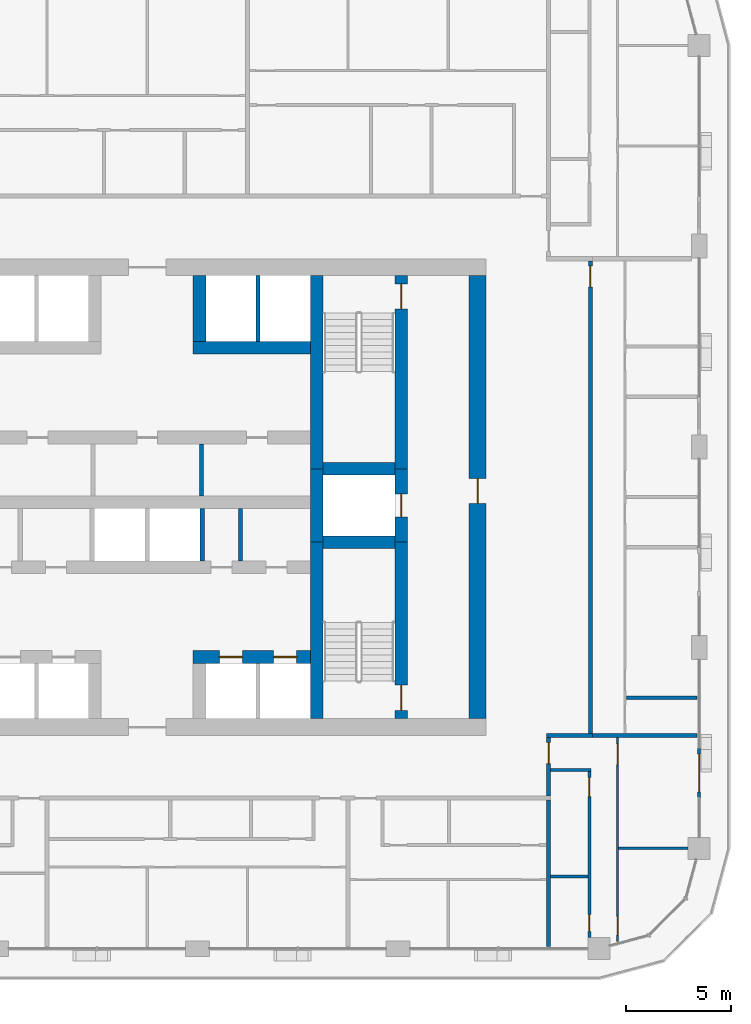
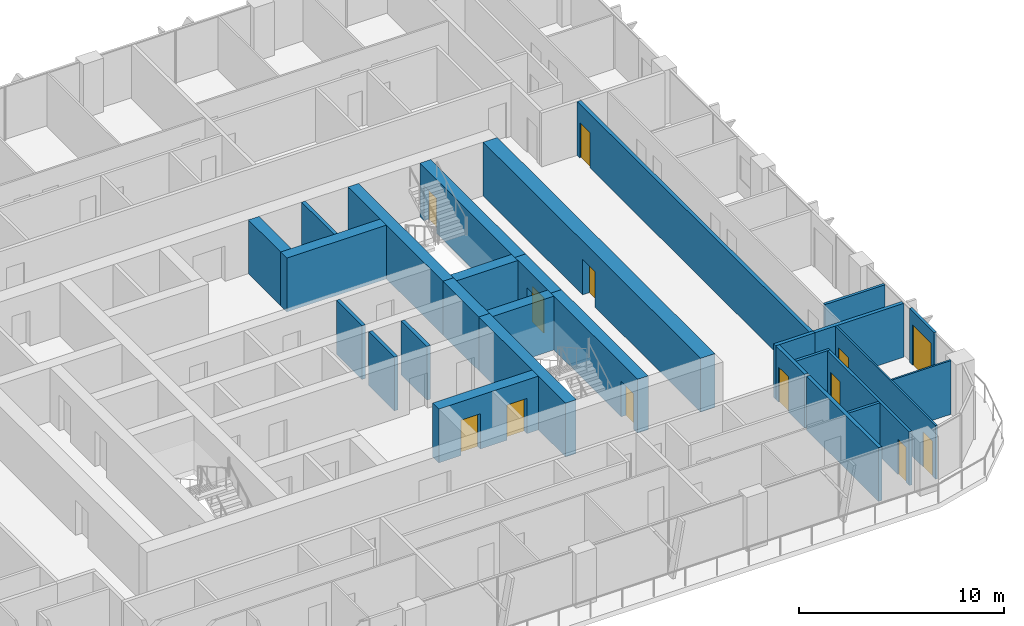
# One storey, part 12 of 23: 28 walls, 13 doors, 13 openings.
"""IFC4 building model written with IfcOpenShell, lengths in metres."""

from ifc_helpers import new_model, si_unit, direction, frame, frame_2d, origin, place, context, subcontext, project, spatial, rectangle, extrude, material, layer, layer_set, type_object, element, fill, save


model = new_model("IFC4")

# Units and contexts
model_context = context("Model", 3, precision=1e-05, world=origin(), true_north=direction((0.0, 1.0)))
body_context = subcontext(model_context, "Body", "Model", "MODEL_VIEW")
ifc_project = project(units=[si_unit("LENGTHUNIT", "METRE"), si_unit("AREAUNIT", "SQUARE_METRE"), si_unit("VOLUMEUNIT", "CUBIC_METRE"), si_unit("PLANEANGLEUNIT", "RADIAN"), si_unit("MASSUNIT", "GRAM", prefix="KILO")], contexts=[model_context])

# Site, building, storey
site_placement = place(None, origin())
site = spatial("IfcSite", under=ifc_project, at=site_placement, CompositionType="ELEMENT")
building_placement = place(site_placement, origin())
building = spatial("IfcBuilding", under=site, at=building_placement, Name="Madar Terraces", CompositionType="ELEMENT")
storey_placement = place(building_placement, frame((0.0, 0.0, 133.10009765625)))
storey = spatial("IfcBuildingStorey", under=building, at=storey_placement, Name="L34", CompositionType="ELEMENT", Elevation=133.10009765625)

# Walls
ifc_material_1 = material(Name="Concrete C70/85", Category="concrete")
ifc_layer_1 = layer(ifc_material_1, 0.60009765625)
ifc_layer_set_1 = layer_set([ifc_layer_1], Name="Concrete C70/85 (CIW3 RC wall 600)")
wall_type_1 = type_object("IfcWallType", Name="CIW3 RC wall 600", PredefinedType="SHEAR", material=ifc_layer_set_1)
wall_1_placement = place(storey_placement, frame((39.300048828125, 15.800048828125, 0.0), z_axis=(0.0, 0.0, 1.0), x_axis=(0.0, 1.0, 0.0)))
element("IfcWall", 1, at=wall_1_placement, inside=storey, type_object=wall_type_1, Name="CORE SHAFT WALL", PredefinedType="SHEAR", context=body_context, shape_type="SweptSolid", body=[
    extrude(rectangle(XDim=8.449951171875, YDim=0.60009765625, at=frame_2d((4.22509765625, 0.0))), origin(), (0.0, 0.0, 1.0), 3.199951171875),
])
wall_2_placement = place(storey_placement, frame((39.300048828125, 24.25, 0.0), z_axis=(0.0, 0.0, 1.0), x_axis=(0.0, 1.0, 0.0)))
element("IfcWall", 2, at=wall_2_placement, inside=storey, type_object=wall_type_1, Name="CORE SHAFT WALL", PredefinedType="SHEAR", context=body_context, shape_type="SweptSolid", body=[
    extrude(rectangle(XDim=3.5, YDim=0.60009765625, at=frame_2d((1.75, 0.0))), origin(), (0.0, 0.0, 1.0), 3.199951171875),
])
wall_3_placement = place(storey_placement, frame((39.300048828125, 27.75, 0.0), z_axis=(0.0, 0.0, 1.0), x_axis=(0.0, 1.0, 0.0)))
element("IfcWall", 3, at=wall_3_placement, inside=storey, type_object=wall_type_1, Name="CORE SHAFT WALL", PredefinedType="SHEAR", context=body_context, shape_type="SweptSolid", body=[
    extrude(rectangle(XDim=9.25, YDim=0.60009765625, at=frame_2d((4.625, 0.0))), origin(), (0.0, 0.0, 1.0), 3.199951171875),
])

# Wall, opening, door
wall_4_placement = place(storey_placement, frame((43.35009765625, 15.800048828125, 0.0), z_axis=(0.0, 0.0, 1.0), x_axis=(0.0, 1.0, 0.0)))
wall_4 = element("IfcWall", 4, at=wall_4_placement, inside=storey, type_object=wall_type_1, Name="CORE SHAFT WALL", PredefinedType="SHEAR", context=body_context, shape_type="SweptSolid", body=[
    extrude(rectangle(XDim=8.449951171875, YDim=0.60009765625, at=frame_2d((4.22509765625, 0.0))), origin(), (0.0, 0.0, 1.0), 3.199951171875),
])
opening_1_placement = place(wall_4_placement, frame((0.39990234375, 0.0, 0.0)))
opening_1 = element("IfcOpeningElement", 5, at=opening_1_placement, cuts=wall_4, Name="Opening SD1", PredefinedType="OPENING", context=body_context, shape_type="SweptSolid", body=[
    extrude(rectangle(XDim=1.199951171875, YDim=2.10009765625, at=frame_2d((0.60009765625, 1.050048828125))), frame((0.0, 0.31005859375, 0.0), z_axis=(0.0, -1.0, 0.0), x_axis=(1.0, 0.0, 0.0)), (0.0, 0.0, 1.0), 0.6201171875),
])
ifc_material_2 = material(Name="Steel door leaf", Category="steel")
door_type_1 = type_object("IfcDoorType", Name="Stair door 1200 x 2100", OperationType="NOTDEFINED", PredefinedType="DOOR", material=ifc_material_2)
door_1_placement = place(opening_1_placement, origin())
door_1 = element("IfcDoor", 6, at=door_1_placement, inside=storey, type_object=door_type_1, Name="STAIR DOOR", OperationType="SINGLE_SWING_LEFT", OverallHeight=2.10009765625, OverallWidth=1.199951171875, PredefinedType="DOOR", context=body_context, shape_type="SweptSolid", body=[
    extrude(rectangle(XDim=1.199951171875, YDim=2.10009765625, at=frame_2d((0.60009765625, 1.050048828125))), frame((0.0, 0.02490234375, 0.0), z_axis=(0.0, -1.0, 0.0), x_axis=(1.0, 0.0, 0.0)), (0.0, 0.0, 1.0), 0.050048828125),
])
fill(opening_1, door_1)

wall_5_placement = place(storey_placement, frame((43.35009765625, 24.25, 0.0), z_axis=(0.0, 0.0, 1.0), x_axis=(0.0, 1.0, 0.0)))
wall_5 = element("IfcWall", 7, at=wall_5_placement, inside=storey, type_object=wall_type_1, Name="CORE SHAFT WALL", PredefinedType="SHEAR", context=body_context, shape_type="SweptSolid", body=[
    extrude(rectangle(XDim=3.5, YDim=0.60009765625, at=frame_2d((1.75, 0.0))), origin(), (0.0, 0.0, 1.0), 3.199951171875),
])
opening_2_placement = place(wall_5_placement, frame((1.199951171875, 0.0, 0.0)))
opening_2 = element("IfcOpeningElement", 8, at=opening_2_placement, cuts=wall_5, Name="Opening LD", PredefinedType="OPENING", context=body_context, shape_type="SweptSolid", body=[
    extrude(rectangle(XDim=1.10009765625, YDim=2.10009765625, at=frame_2d((0.550048828125, 1.050048828125))), frame((0.0, 0.31005859375, 0.0), z_axis=(0.0, -1.0, 0.0), x_axis=(1.0, 0.0, 0.0)), (0.0, 0.0, 1.0), 0.6201171875),
])
ifc_material_3 = material(Name="Stainless steel panel", Category="steel")
door_type_2 = type_object("IfcDoorType", Name="Lift landing door 1100 x 2100", OperationType="DOUBLE_DOOR_SLIDING", PredefinedType="DOOR", material=ifc_material_3)
door_2_placement = place(opening_2_placement, origin())
door_2 = element("IfcDoor", 9, at=door_2_placement, inside=storey, type_object=door_type_2, Name="LIFT LANDING DOOR", OperationType="DOUBLE_DOOR_SLIDING", OverallHeight=2.10009765625, OverallWidth=1.10009765625, PredefinedType="DOOR", context=body_context, shape_type="SweptSolid", body=[
    extrude(rectangle(XDim=1.10009765625, YDim=2.10009765625, at=frame_2d((0.550048828125, 1.050048828125))), frame((0.0, 0.02490234375, 0.0), z_axis=(0.0, -1.0, 0.0), x_axis=(1.0, 0.0, 0.0)), (0.0, 0.0, 1.0), 0.050048828125),
])
fill(opening_2, door_2)

wall_6_placement = place(storey_placement, frame((43.35009765625, 27.75, 0.0), z_axis=(0.0, 0.0, 1.0), x_axis=(0.0, 1.0, 0.0)))
wall_6 = element("IfcWall", 10, at=wall_6_placement, inside=storey, type_object=wall_type_1, Name="CORE SHAFT WALL", PredefinedType="SHEAR", context=body_context, shape_type="SweptSolid", body=[
    extrude(rectangle(XDim=9.25, YDim=0.60009765625, at=frame_2d((4.625, 0.0))), origin(), (0.0, 0.0, 1.0), 3.199951171875),
])
opening_3_placement = place(wall_6_placement, frame((7.64990234375, 0.0, 0.0)))
opening_3 = element("IfcOpeningElement", 11, at=opening_3_placement, cuts=wall_6, Name="Opening SD1", PredefinedType="OPENING", context=body_context, shape_type="SweptSolid", body=[
    extrude(rectangle(XDim=1.199951171875, YDim=2.10009765625, at=frame_2d((0.60009765625, 1.050048828125))), frame((0.0, 0.31005859375, 0.0), z_axis=(0.0, -1.0, 0.0), x_axis=(1.0, 0.0, 0.0)), (0.0, 0.0, 1.0), 0.6201171875),
])
door_3_placement = place(opening_3_placement, origin())
door_3 = element("IfcDoor", 12, at=door_3_placement, inside=storey, type_object=door_type_1, Name="STAIR DOOR", OperationType="SINGLE_SWING_RIGHT", OverallHeight=2.10009765625, OverallWidth=1.199951171875, PredefinedType="DOOR", context=body_context, shape_type="SweptSolid", body=[
    extrude(rectangle(XDim=1.199951171875, YDim=2.10009765625, at=frame_2d((0.60009765625, 1.050048828125))), frame((0.0, 0.02490234375, 0.0), z_axis=(0.0, -1.0, 0.0), x_axis=(1.0, 0.0, 0.0)), (0.0, 0.0, 1.0), 0.050048828125),
])
fill(opening_3, door_3)

# Walls
for number, where, z_axis, x_axis, name in (
    (13, (39.60009765625, 24.25, 0.0), (0.0, 0.0, 1.0), (1.0, 0.0, 0.0), "CORE SHAFT WALL"),
    (14, (39.60009765625, 27.75, 0.0), (0.0, 0.0, 1.0), (1.0, 0.0, 0.0), "CORE SHAFT WALL"),
):
    element("IfcWall", number, at=place(storey_placement, frame(where, z_axis=z_axis, x_axis=x_axis)), inside=storey, type_object=wall_type_1, Name=name, PredefinedType="SHEAR", context=body_context, shape_type="SweptSolid", body=[
        extrude(rectangle(XDim=3.449951171875, YDim=0.60009765625, at=frame_2d((1.72509765625, 0.0))), origin(), (0.0, 0.0, 1.0), 3.199951171875),
    ])

# Wall, openings, doors
wall_7_placement = place(storey_placement, frame((33.39990234375, 18.75, 0.0), z_axis=(0.0, 0.0, 1.0), x_axis=(1.0, 0.0, 0.0)))
wall_7 = element("IfcWall", 15, at=wall_7_placement, inside=storey, type_object=wall_type_1, Name="CORE SHAFT WALL", PredefinedType="SHEAR", context=body_context, shape_type="SweptSolid", body=[
    extrude(rectangle(XDim=5.60009765625, YDim=0.60009765625, at=frame_2d((2.800048828125, 0.0))), origin(), (0.0, 0.0, 1.0), 3.199951171875),
])
opening_4_placement = place(wall_7_placement, frame((1.25, 0.0, 0.0)))
opening_4 = element("IfcOpeningElement", 16, at=opening_4_placement, cuts=wall_7, Name="Opening LD", PredefinedType="OPENING", context=body_context, shape_type="SweptSolid", body=[
    extrude(rectangle(XDim=1.10009765625, YDim=2.10009765625, at=frame_2d((0.550048828125, 1.050048828125))), frame((0.0, 0.31005859375, 0.0), z_axis=(0.0, -1.0, 0.0), x_axis=(1.0, 0.0, 0.0)), (0.0, 0.0, 1.0), 0.6201171875),
])
opening_5_placement = place(wall_7_placement, frame((3.85009765625, 0.0, 0.0)))
opening_5 = element("IfcOpeningElement", 17, at=opening_5_placement, cuts=wall_7, Name="Opening LD", PredefinedType="OPENING", context=body_context, shape_type="SweptSolid", body=[
    extrude(rectangle(XDim=1.10009765625, YDim=2.10009765625, at=frame_2d((0.550048828125, 1.050048828125))), frame((0.0, 0.31005859375, 0.0), z_axis=(0.0, -1.0, 0.0), x_axis=(1.0, 0.0, 0.0)), (0.0, 0.0, 1.0), 0.6201171875),
])
door_4_placement = place(opening_4_placement, origin())
door_4 = element("IfcDoor", 18, at=door_4_placement, inside=storey, type_object=door_type_2, Name="LIFT LANDING DOOR", OperationType="DOUBLE_DOOR_SLIDING", OverallHeight=2.10009765625, OverallWidth=1.10009765625, PredefinedType="DOOR", context=body_context, shape_type="SweptSolid", body=[
    extrude(rectangle(XDim=1.10009765625, YDim=2.10009765625, at=frame_2d((0.550048828125, 1.050048828125))), frame((0.0, 0.02490234375, 0.0), z_axis=(0.0, -1.0, 0.0), x_axis=(1.0, 0.0, 0.0)), (0.0, 0.0, 1.0), 0.050048828125),
])
fill(opening_4, door_4)
door_5_placement = place(opening_5_placement, origin())
door_5 = element("IfcDoor", 19, at=door_5_placement, inside=storey, type_object=door_type_2, Name="LIFT LANDING DOOR", OperationType="DOUBLE_DOOR_SLIDING", OverallHeight=2.10009765625, OverallWidth=1.10009765625, PredefinedType="DOOR", context=body_context, shape_type="SweptSolid", body=[
    extrude(rectangle(XDim=1.10009765625, YDim=2.10009765625, at=frame_2d((0.550048828125, 1.050048828125))), frame((0.0, 0.02490234375, 0.0), z_axis=(0.0, -1.0, 0.0), x_axis=(1.0, 0.0, 0.0)), (0.0, 0.0, 1.0), 0.050048828125),
])
fill(opening_5, door_5)

# Walls
wall_8_placement = place(storey_placement, frame((33.39990234375, 33.550048828125, 0.0), z_axis=(0.0, 0.0, 1.0), x_axis=(1.0, 0.0, 0.0)))
element("IfcWall", 20, at=wall_8_placement, inside=storey, type_object=wall_type_1, Name="CORE SHAFT WALL", PredefinedType="SHEAR", context=body_context, shape_type="SweptSolid", body=[
    extrude(rectangle(XDim=5.60009765625, YDim=0.60009765625, at=frame_2d((2.800048828125, 0.0))), origin(), (0.0, 0.0, 1.0), 3.199951171875),
])
wall_9_placement = place(storey_placement, frame((33.699951171875, 33.85009765625, 0.0), z_axis=(0.0, 0.0, 1.0), x_axis=(0.0, 1.0, 0.0)))
element("IfcWall", 21, at=wall_9_placement, inside=storey, type_object=wall_type_1, Name="CORE SHAFT WALL", PredefinedType="SHEAR", context=body_context, shape_type="SweptSolid", body=[
    extrude(rectangle(XDim=3.14990234375, YDim=0.60009765625, at=frame_2d((1.574951171875, 0.0))), origin(), (0.0, 0.0, 1.0), 3.199951171875),
])

# Wall, opening, door
ifc_material_4 = material(Name="Concrete C70/85", Category="concrete")
ifc_layer_2 = layer(ifc_material_4, 0.800048828125)
ifc_layer_set_2 = layer_set([ifc_layer_2], Name="Concrete C70/85 (CRW3 RC wall 800)")
wall_type_2 = type_object("IfcWallType", Name="CRW3 RC wall 800", PredefinedType="SHEAR", material=ifc_layer_set_2)
wall_10_placement = place(storey_placement, frame((47.0, 15.800048828125, 0.0), z_axis=(0.0, 0.0, 1.0), x_axis=(0.0, 1.0, 0.0)))
wall_10 = element("IfcWall", 22, at=wall_10_placement, inside=storey, type_object=wall_type_2, Name="CORE OUTER WALL", PredefinedType="SHEAR", context=body_context, shape_type="SweptSolid", body=[
    extrude(rectangle(XDim=21.199951171875, YDim=0.800048828125, at=frame_2d((10.60009765625, 0.0))), origin(), (0.0, 0.0, 1.0), 3.199951171875),
])
opening_6_placement = place(wall_10_placement, frame((10.300048828125, 0.0, 0.0)))
opening_6 = element("IfcOpeningElement", 23, at=opening_6_placement, cuts=wall_10, Name="Opening SD1", PredefinedType="OPENING", context=body_context, shape_type="SweptSolid", body=[
    extrude(rectangle(XDim=1.199951171875, YDim=2.10009765625, at=frame_2d((0.60009765625, 1.050048828125))), frame((0.0, 0.409912109375, 0.0), z_axis=(0.0, -1.0, 0.0), x_axis=(1.0, 0.0, 0.0)), (0.0, 0.0, 1.0), 0.820068359375),
])
door_6_placement = place(opening_6_placement, origin())
door_6 = element("IfcDoor", 24, at=door_6_placement, inside=storey, type_object=door_type_1, Name="STAIR DOOR", OperationType="SINGLE_SWING_RIGHT", OverallHeight=2.10009765625, OverallWidth=1.199951171875, PredefinedType="DOOR", context=body_context, shape_type="SweptSolid", body=[
    extrude(rectangle(XDim=1.199951171875, YDim=2.10009765625, at=frame_2d((0.60009765625, 1.050048828125))), frame((0.0, 0.02490234375, 0.0), z_axis=(0.0, -1.0, 0.0), x_axis=(1.0, 0.0, 0.0)), (0.0, 0.0, 1.0), 0.050048828125),
])
fill(opening_6, door_6)

# Walls
ifc_material_5 = material(Name="Masonry blockwork", Category="masonry")
ifc_layer_3 = layer(ifc_material_5, 0.199951171875)
ifc_layer_set_3 = layer_set([ifc_layer_3], Name="Core partition 200 blockwork")
wall_type_3 = type_object("IfcWallType", Name="Core partition 200 blockwork", PredefinedType="PARTITIONING", material=ifc_layer_set_3)
for number, where, z_axis, x_axis, name in (
    (25, (35.656005859375, 23.35009765625, 0.0), (0.0, 0.0, 1.0), (0.0, 1.0, 0.0), "SERVICE ROOM PARTITION"),
    (26, (33.800048828125, 26.449951171875, 0.0), (0.0, 0.0, 1.0), (0.0, 1.0, 0.0), "SERVICE ROOM PARTITION"),
):
    element("IfcWall", number, at=place(storey_placement, frame(where, z_axis=z_axis, x_axis=x_axis)), inside=storey, type_object=wall_type_3, Name=name, PredefinedType="PARTITIONING", context=body_context, shape_type="SweptSolid", body=[
        extrude(rectangle(XDim=2.5, YDim=0.199951171875, at=frame_2d((1.25, 0.0))), origin(), (0.0, 0.0, 1.0), 3.199951171875),
    ])
ifc_material_6 = material(Name="Concrete C40/50", Category="concrete")
ifc_layer_4 = layer(ifc_material_6, 0.199951171875)
ifc_layer_set_4 = layer_set([ifc_layer_4], Name="Core shaft dividing wall 200 C40/50")
wall_type_4 = type_object("IfcWallType", Name="Core shaft dividing wall 200 C40/50", PredefinedType="SOLIDWALL", material=ifc_layer_set_4)
wall_11_placement = place(storey_placement, frame((33.833251953125, 23.35009765625, 0.0), z_axis=(0.0, 0.0, 1.0), x_axis=(0.0, 1.0, 0.0)))
element("IfcWall", 27, at=wall_11_placement, inside=storey, type_object=wall_type_4, Name="SHAFT DIVIDING WALL", PredefinedType="SOLIDWALL", context=body_context, shape_type="SweptSolid", body=[
    extrude(rectangle(XDim=2.5, YDim=0.199951171875, at=frame_2d((1.25, 0.0))), origin(), (0.0, 0.0, 1.0), 3.199951171875),
])
wall_12_placement = place(storey_placement, frame((36.5, 33.85009765625, 0.0), z_axis=(0.0, 0.0, 1.0), x_axis=(0.0, 1.0, 0.0)))
element("IfcWall", 28, at=wall_12_placement, inside=storey, type_object=wall_type_4, Name="SHAFT DIVIDING WALL", PredefinedType="SOLIDWALL", context=body_context, shape_type="SweptSolid", body=[
    extrude(rectangle(XDim=3.14990234375, YDim=0.199951171875, at=frame_2d((1.574951171875, 0.0))), origin(), (0.0, 0.0, 1.0), 3.199951171875),
])

# Wall, opening, door
ifc_material_7 = material(Name="Aluminium composite panel, black, over insulated backing", Category="aluminium")
ifc_layer_5 = layer(ifc_material_7, 0.14990234375)
ifc_layer_set_5 = layer_set([ifc_layer_5], Name="Facade bay panel 150")
wall_type_5 = type_object("IfcWallType", Name="Facade bay panel 150", PredefinedType="SOLIDWALL", material=ifc_layer_set_5)
wall_13_placement = place(storey_placement, frame((57.60009765625, 12.0, 0.0), z_axis=(0.0, 0.0, 1.0), x_axis=(0.0, 1.0, 0.0)))
wall_13 = element("IfcWall", 29, at=wall_13_placement, inside=storey, type_object=wall_type_5, Name="Facade bay panel", PredefinedType="SOLIDWALL", context=body_context, shape_type="SweptSolid", body=[
    extrude(rectangle(XDim=2.39990234375, YDim=0.14990234375, at=frame_2d((1.199951171875, 0.0))), origin(), (0.0, 0.0, 1.0), 3.199951171875),
])
opening_7_placement = place(wall_13_placement, frame((0.300048828125, 0.0, 0.0)))
opening_7 = element("IfcOpeningElement", 30, at=opening_7_placement, cuts=wall_13, Name="Opening ED1", PredefinedType="OPENING", context=body_context, shape_type="SweptSolid", body=[
    extrude(rectangle(XDim=1.800048828125, YDim=2.39990234375, at=frame_2d((0.89990234375, 1.199951171875))), frame((0.0, 0.0849609375, 0.0), z_axis=(0.0, -1.0, 0.0), x_axis=(1.0, 0.0, 0.0)), (0.0, 0.0, 1.0), 0.169921875),
])
ifc_material_8 = material(Name="Glass, clear, with black aluminium frame", Category="aluminium")
door_type_3 = type_object("IfcDoorType", Name="Balcony and terrace sliding door 1800 x 2400", OperationType="SLIDING_TO_LEFT", PredefinedType="DOOR", material=ifc_material_8)
door_7_placement = place(opening_7_placement, origin())
door_7 = element("IfcDoor", 31, at=door_7_placement, inside=storey, type_object=door_type_3, Name="Balcony door", OperationType="SLIDING_TO_RIGHT", OverallHeight=2.39990234375, OverallWidth=1.800048828125, PredefinedType="DOOR", context=body_context, shape_type="SweptSolid", body=[
    extrude(rectangle(XDim=1.800048828125, YDim=2.39990234375, at=frame_2d((0.89990234375, 1.199951171875))), frame((0.0, 0.02490234375, 0.0), z_axis=(0.0, -1.0, 0.0), x_axis=(1.0, 0.0, 0.0)), (0.0, 0.0, 1.0), 0.050048828125),
])
fill(opening_7, door_7)

# Wall
ifc_material_9 = material(Name="Gypsum board on steel studs", Category="steel")
ifc_layer_6 = layer(ifc_material_9, 0.10009765625)
ifc_layer_set_6 = layer_set([ifc_layer_6], Name="Flat partition 100")
wall_type_6 = type_object("IfcWallType", Name="Flat partition 100", PredefinedType="PARTITIONING", material=ifc_layer_set_6)
wall_14_placement = place(storey_placement, frame((53.75, 9.60009765625, 0.0), z_axis=(0.0, 0.0, 1.0), x_axis=(1.0, 0.0, 0.0)))
element("IfcWall", 32, at=wall_14_placement, inside=storey, type_object=wall_type_6, Name="Flat partition 100", PredefinedType="PARTITIONING", context=body_context, shape_type="SweptSolid", body=[
    extrude(rectangle(XDim=3.324951171875, YDim=0.10009765625, at=frame_2d((1.66259765625, 0.0))), origin(), (0.0, 0.0, 1.0), 3.199951171875),
])

# Wall, openings, doors
wall_15_placement = place(storey_placement, frame((53.699951171875, 14.89990234375, 0.0), z_axis=(0.0, 0.0, 1.0), x_axis=(0.0, -1.0, 0.0)))
wall_15 = element("IfcWall", 33, at=wall_15_placement, inside=storey, type_object=wall_type_6, Name="Flat partition 100", PredefinedType="PARTITIONING", context=body_context, shape_type="SweptSolid", body=[
    extrude(rectangle(XDim=9.7587890625, YDim=0.10009765625, at=frame_2d((4.87939453125, 0.0))), origin(), (0.0, 0.0, 1.0), 3.199951171875),
])
opening_8_placement = place(wall_15_placement, frame((0.300048828125, 0.0, 0.0)))
opening_8 = element("IfcOpeningElement", 34, at=opening_8_placement, cuts=wall_15, Name="Opening D3", PredefinedType="OPENING", context=body_context, shape_type="SweptSolid", body=[
    extrude(rectangle(XDim=1.0, YDim=2.10009765625, at=frame_2d((0.5, 1.050048828125))), frame((0.0, 0.06005859375, 0.0), z_axis=(0.0, -1.0, 0.0), x_axis=(1.0, 0.0, 0.0)), (0.0, 0.0, 1.0), 0.1201171875),
])
opening_9_placement = place(wall_15_placement, frame((8.558837890625, 0.0, 0.0)))
opening_9 = element("IfcOpeningElement", 35, at=opening_9_placement, cuts=wall_15, Name="Opening D2", PredefinedType="OPENING", context=body_context, shape_type="SweptSolid", body=[
    extrude(rectangle(XDim=0.89990234375, YDim=2.10009765625, at=frame_2d((0.449951171875, 1.050048828125))), frame((0.0, 0.06005859375, 0.0), z_axis=(0.0, -1.0, 0.0), x_axis=(1.0, 0.0, 0.0)), (0.0, 0.0, 1.0), 0.1201171875),
])
ifc_material_10 = material(Name="Timber door leaf", Category="wood")
door_type_4 = type_object("IfcDoorType", Name="Flat living room door 1000", OperationType="NOTDEFINED", PredefinedType="DOOR", material=ifc_material_10)
door_8_placement = place(opening_8_placement, origin())
door_8 = element("IfcDoor", 36, at=door_8_placement, inside=storey, type_object=door_type_4, Name="Flat living room door 1000", OperationType="SINGLE_SWING_LEFT", OverallHeight=2.10009765625, OverallWidth=1.0, PredefinedType="DOOR", context=body_context, shape_type="SweptSolid", body=[
    extrude(rectangle(XDim=1.0, YDim=2.10009765625, at=frame_2d((0.5, 1.050048828125))), frame((0.0, 0.02490234375, 0.0), z_axis=(0.0, -1.0, 0.0), x_axis=(1.0, 0.0, 0.0)), (0.0, 0.0, 1.0), 0.050048828125),
])
fill(opening_8, door_8)
ifc_material_11 = material(Name="Timber door leaf", Category="wood")
door_type_5 = type_object("IfcDoorType", Name="Flat room door 900", OperationType="NOTDEFINED", PredefinedType="DOOR", material=ifc_material_11)
door_9_placement = place(opening_9_placement, origin())
door_9 = element("IfcDoor", 37, at=door_9_placement, inside=storey, type_object=door_type_5, Name="Flat room door 900", OperationType="SINGLE_SWING_RIGHT", OverallHeight=2.10009765625, OverallWidth=0.89990234375, PredefinedType="DOOR", context=body_context, shape_type="SweptSolid", body=[
    extrude(rectangle(XDim=0.89990234375, YDim=2.10009765625, at=frame_2d((0.449951171875, 1.050048828125))), frame((0.0, 0.02490234375, 0.0), z_axis=(0.0, -1.0, 0.0), x_axis=(1.0, 0.0, 0.0)), (0.0, 0.0, 1.0), 0.050048828125),
])
fill(opening_9, door_9)

# Wall, opening, door
ifc_material_12 = material(Name="Lightweight blockwork", Category="masonry")
ifc_layer_7 = layer(ifc_material_12, 0.199951171875)
ifc_layer_set_7 = layer_set([ifc_layer_7], Name="Flat party and entrance wall 200")
wall_type_7 = type_object("IfcWallType", Name="Flat party and entrance wall 200", PredefinedType="PARTITIONING", material=ifc_layer_set_7)
wall_16_placement = place(storey_placement, frame((50.39990234375, 14.89990234375, 0.0), z_axis=(0.0, 0.0, 1.0), x_axis=(0.0, -1.0, 0.0)))
wall_16 = element("IfcWall", 38, at=wall_16_placement, inside=storey, type_object=wall_type_7, Name="Flat party and entrance wall 200", PredefinedType="PARTITIONING", context=body_context, shape_type="SweptSolid", body=[
    extrude(rectangle(XDim=2.7998046875, YDim=0.199951171875, at=frame_2d((1.39990234375, 0.0))), origin(), (0.0, 0.0, 1.0), 3.199951171875),
])
opening_10_placement = place(wall_16_placement, frame((0.25, 0.0, 0.0)))
opening_10 = element("IfcOpeningElement", 39, at=opening_10_placement, cuts=wall_16, Name="Opening D1", PredefinedType="OPENING", context=body_context, shape_type="SweptSolid", body=[
    extrude(rectangle(XDim=1.0, YDim=2.10009765625, at=frame_2d((0.5, 1.050048828125))), frame((0.0, 0.10986328125, 0.0), z_axis=(0.0, -1.0, 0.0), x_axis=(1.0, 0.0, 0.0)), (0.0, 0.0, 1.0), 0.219970703125),
])
ifc_material_13 = material(Name="Timber fire door leaf", Category="wood")
door_type_6 = type_object("IfcDoorType", Name="Flat entrance door 1000 FD30S", OperationType="NOTDEFINED", PredefinedType="DOOR", material=ifc_material_13)
door_10_placement = place(opening_10_placement, origin())
door_10 = element("IfcDoor", 40, at=door_10_placement, inside=storey, type_object=door_type_6, Name="Flat entrance door 1000 FD30S", OperationType="SINGLE_SWING_LEFT", OverallHeight=2.10009765625, OverallWidth=1.0, PredefinedType="DOOR", context=body_context, shape_type="SweptSolid", body=[
    extrude(rectangle(XDim=1.0, YDim=2.10009765625, at=frame_2d((0.5, 1.050048828125))), frame((0.0, 0.02490234375, 0.0), z_axis=(0.0, -1.0, 0.0), x_axis=(1.0, 0.0, 0.0)), (0.0, 0.0, 1.0), 0.050048828125),
])
fill(opening_10, door_10)

# Wall
wall_17_placement = place(storey_placement, frame((50.300048828125, 15.0, 0.0), z_axis=(0.0, 0.0, 1.0), x_axis=(1.0, 0.0, 0.0)))
element("IfcWall", 41, at=wall_17_placement, inside=storey, type_object=wall_type_7, Name="Flat party and entrance wall 200", PredefinedType="PARTITIONING", context=body_context, shape_type="SweptSolid", body=[
    extrude(rectangle(XDim=2.199951171875, YDim=0.199951171875, at=frame_2d((1.10009765625, 0.0))), origin(), (0.0, 0.0, 1.0), 3.199951171875),
])

# Wall, opening, door
wall_18_placement = place(storey_placement, frame((52.39990234375, 37.699951171875, 0.0), z_axis=(0.0, 0.0, 1.0), x_axis=(0.0, -1.0, 0.0)))
wall_18 = element("IfcWall", 42, at=wall_18_placement, inside=storey, type_object=wall_type_7, Name="Flat party and entrance wall 200", PredefinedType="PARTITIONING", context=body_context, shape_type="SweptSolid", body=[
    extrude(rectangle(XDim=22.599853515625, YDim=0.199951171875, at=frame_2d((11.2998046875, 0.0))), origin(), (0.0, 0.0, 1.0), 3.199951171875),
])
opening_11_placement = place(wall_18_placement, frame((0.25, 0.0, 0.0)))
opening_11 = element("IfcOpeningElement", 43, at=opening_11_placement, cuts=wall_18, Name="Opening D1", PredefinedType="OPENING", context=body_context, shape_type="SweptSolid", body=[
    extrude(rectangle(XDim=1.0, YDim=2.10009765625, at=frame_2d((0.5, 1.050048828125))), frame((0.0, 0.10986328125, 0.0), z_axis=(0.0, -1.0, 0.0), x_axis=(1.0, 0.0, 0.0)), (0.0, 0.0, 1.0), 0.219970703125),
])
door_11_placement = place(opening_11_placement, origin())
door_11 = element("IfcDoor", 44, at=door_11_placement, inside=storey, type_object=door_type_6, Name="Flat entrance door 1000 FD30S", OperationType="SINGLE_SWING_LEFT", OverallHeight=2.10009765625, OverallWidth=1.0, PredefinedType="DOOR", context=body_context, shape_type="SweptSolid", body=[
    extrude(rectangle(XDim=1.0, YDim=2.10009765625, at=frame_2d((0.5, 1.050048828125))), frame((0.0, 0.02490234375, 0.0), z_axis=(0.0, -1.0, 0.0), x_axis=(1.0, 0.0, 0.0)), (0.0, 0.0, 1.0), 0.050048828125),
])
fill(opening_11, door_11)

# Walls
wall_19_placement = place(storey_placement, frame((50.39990234375, 11.89990234375, 0.0), z_axis=(0.0, 0.0, 1.0), x_axis=(0.0, -1.0, 0.0)))
element("IfcWall", 45, at=wall_19_placement, inside=storey, type_object=wall_type_7, Name="Flat party and entrance wall 200", PredefinedType="PARTITIONING", context=body_context, shape_type="SweptSolid", body=[
    extrude(rectangle(XDim=7.0, YDim=0.199951171875, at=frame_2d((3.5, 0.0))), origin(), (0.0, 0.0, 1.0), 3.199951171875),
])
wall_20_placement = place(storey_placement, frame((52.5, 15.0, 0.0), z_axis=(0.0, 0.0, 1.0), x_axis=(1.0, 0.0, 0.0)))
element("IfcWall", 46, at=wall_20_placement, inside=storey, type_object=wall_type_7, Name="Flat party and entrance wall 200", PredefinedType="PARTITIONING", context=body_context, shape_type="SweptSolid", body=[
    extrude(rectangle(XDim=5.0, YDim=0.199951171875, at=frame_2d((2.5, 0.0))), origin(), (0.0, 0.0, 1.0), 3.199951171875),
])
ifc_material_14 = material(Name="Lightweight blockwork", Category="masonry")
ifc_layer_8 = layer(ifc_material_14, 0.14990234375)
ifc_layer_set_8 = layer_set([ifc_layer_8], Name="Flat wet-room partition 150")
wall_type_8 = type_object("IfcWallType", Name="Flat wet-room partition 150", PredefinedType="PARTITIONING", material=ifc_layer_set_8)
wall_21_placement = place(storey_placement, frame((50.5, 8.25, 0.0), z_axis=(0.0, 0.0, 1.0), x_axis=(1.0, 0.0, 0.0)))
element("IfcWall", 47, at=wall_21_placement, inside=storey, type_object=wall_type_8, Name="Flat wet-room partition 150", PredefinedType="PARTITIONING", context=body_context, shape_type="SweptSolid", body=[
    extrude(rectangle(XDim=1.77490234375, YDim=0.14990234375, at=frame_2d((0.887451171875, 0.0))), origin(), (0.0, 0.0, 1.0), 3.199951171875),
])
wall_22_placement = place(storey_placement, frame((50.5, 13.35009765625, 0.0), z_axis=(0.0, 0.0, 1.0), x_axis=(1.0, 0.0, 0.0)))
element("IfcWall", 48, at=wall_22_placement, inside=storey, type_object=wall_type_8, Name="Flat wet-room partition 150", PredefinedType="PARTITIONING", context=body_context, shape_type="SweptSolid", body=[
    extrude(rectangle(XDim=1.925048828125, YDim=0.14990234375, at=frame_2d((0.96240234375, 0.0))), origin(), (0.0, 0.0, 1.0), 3.199951171875),
])

# Wall, openings, doors
wall_23_placement = place(storey_placement, frame((52.35009765625, 5.324951171875, 0.0), z_axis=(0.0, 0.0, 1.0), x_axis=(0.0, 1.0, 0.0)))
wall_23 = element("IfcWall", 49, at=wall_23_placement, inside=storey, type_object=wall_type_8, Name="Flat wet-room partition 150", PredefinedType="PARTITIONING", context=body_context, shape_type="SweptSolid", body=[
    extrude(rectangle(XDim=7.949951171875, YDim=0.14990234375, at=frame_2d((3.97509765625, 0.0))), origin(), (0.0, 0.0, 1.0), 3.199951171875),
])
opening_12_placement = place(wall_23_placement, frame((6.75, 0.0, 0.0)))
opening_12 = element("IfcOpeningElement", 50, at=opening_12_placement, cuts=wall_23, Name="Opening D2", PredefinedType="OPENING", context=body_context, shape_type="SweptSolid", body=[
    extrude(rectangle(XDim=0.89990234375, YDim=2.10009765625, at=frame_2d((0.449951171875, 1.050048828125))), frame((0.0, 0.0849609375, 0.0), z_axis=(0.0, -1.0, 0.0), x_axis=(1.0, 0.0, 0.0)), (0.0, 0.0, 1.0), 0.169921875),
])
opening_13_placement = place(wall_23_placement, frame((0.300048828125, 0.0, 0.0)))
opening_13 = element("IfcOpeningElement", 51, at=opening_13_placement, cuts=wall_23, Name="Opening D4", PredefinedType="OPENING", context=body_context, shape_type="SweptSolid", body=[
    extrude(rectangle(XDim=0.800048828125, YDim=2.10009765625, at=frame_2d((0.39990234375, 1.050048828125))), frame((0.0, 0.0849609375, 0.0), z_axis=(0.0, -1.0, 0.0), x_axis=(1.0, 0.0, 0.0)), (0.0, 0.0, 1.0), 0.169921875),
])
ifc_material_15 = material(Name="Timber door leaf", Category="wood")
door_type_7 = type_object("IfcDoorType", Name="Flat bathroom door 800", OperationType="NOTDEFINED", PredefinedType="DOOR", material=ifc_material_15)
door_12_placement = place(opening_13_placement, origin())
door_12 = element("IfcDoor", 52, at=door_12_placement, inside=storey, type_object=door_type_7, Name="Flat bathroom door 800", OperationType="SINGLE_SWING_LEFT", OverallHeight=2.10009765625, OverallWidth=0.800048828125, PredefinedType="DOOR", context=body_context, shape_type="SweptSolid", body=[
    extrude(rectangle(XDim=0.800048828125, YDim=2.10009765625, at=frame_2d((0.39990234375, 1.050048828125))), frame((0.0, 0.02490234375, 0.0), z_axis=(0.0, -1.0, 0.0), x_axis=(1.0, 0.0, 0.0)), (0.0, 0.0, 1.0), 0.050048828125),
])
fill(opening_13, door_12)
door_13_placement = place(opening_12_placement, origin())
door_13 = element("IfcDoor", 53, at=door_13_placement, inside=storey, type_object=door_type_5, Name="Flat room door 900", OperationType="SINGLE_SWING_RIGHT", OverallHeight=2.10009765625, OverallWidth=0.89990234375, PredefinedType="DOOR", context=body_context, shape_type="SweptSolid", body=[
    extrude(rectangle(XDim=0.89990234375, YDim=2.10009765625, at=frame_2d((0.449951171875, 1.050048828125))), frame((0.0, 0.02490234375, 0.0), z_axis=(0.0, -1.0, 0.0), x_axis=(1.0, 0.0, 0.0)), (0.0, 0.0, 1.0), 0.050048828125),
])
fill(opening_12, door_13)

# Wall
wall_24_placement = place(storey_placement, frame((54.125, 16.800048828125, 0.0), z_axis=(0.0, 0.0, 1.0), x_axis=(1.0, 0.0, 0.0)))
element("IfcWall", 54, at=wall_24_placement, inside=storey, type_object=wall_type_8, Name="Flat wet-room partition 150", PredefinedType="PARTITIONING", context=body_context, shape_type="SweptSolid", body=[
    extrude(rectangle(XDim=3.375, YDim=0.14990234375, at=frame_2d((1.6875, 0.0))), origin(), (0.0, 0.0, 1.0), 3.199951171875),
])

save(model, "model.ifc")
